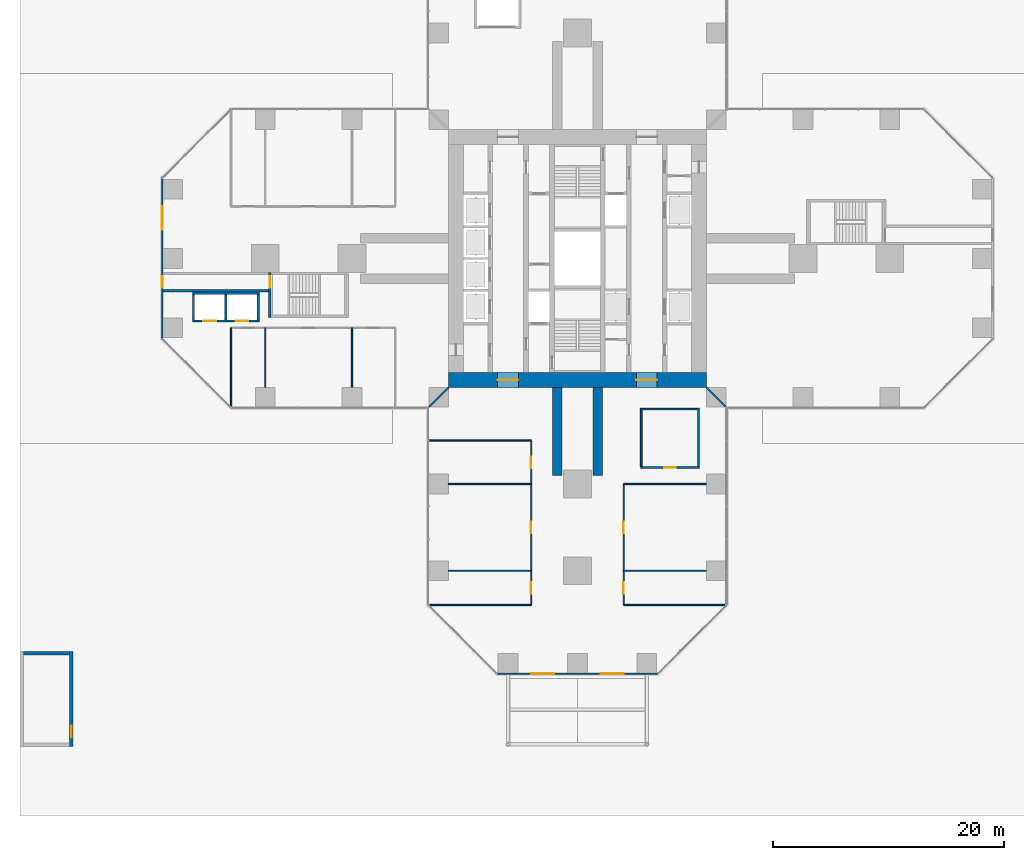
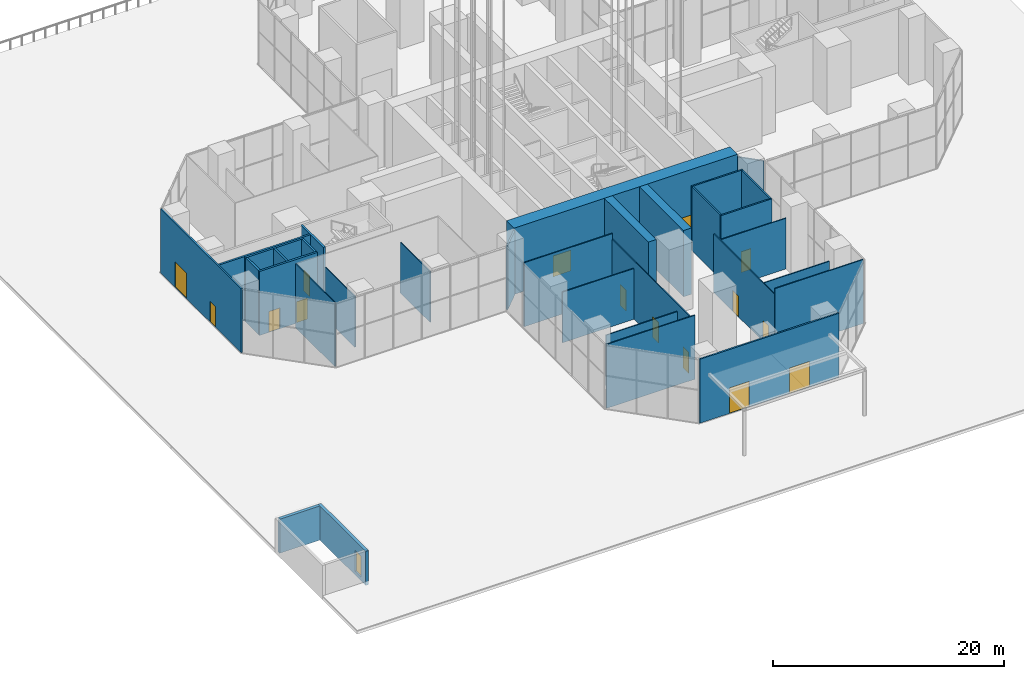
# One storey, part 17 of 43: 32 walls, 16 doors, 16 openings.
"""IFC4 building model written with IfcOpenShell, lengths in metres."""

import ifcopenshell
import ifcopenshell.guid

model = None  # the IFC model being written
_history = None  # IfcOwnerHistory: only IFC2X3 demands one
_inside = {}  # id of a spatial element -> (the spatial element, [elements in it])
_under = {}  # id of a project, library or spatial element -> (it, [spatial elements below it])
_declared = {}  # id of a project -> (the project, [libraries it declares])
_typed = {}  # id of a type object -> (the type object, [elements of that type])
_made_of = {}  # id of a material, layer set ... -> (it, [elements and type objects made of it])


def new_model(schema):
    """Start an empty IFC model of exactly this schema.

    Asked for "IFC4X3", IfcOpenShell would pick the latest addendum, in which some entities
    have other attributes; the version numbers below select the first issue.
    IFC2X3 requires an IfcOwnerHistory on every rooted entity: one is made here for all.
    """
    global model, _history
    if schema == "IFC4X3":
        model = ifcopenshell.file(schema_version=(4, 3, 0, 0))
    else:
        model = ifcopenshell.file(schema=schema)
    _inside.clear()
    _under.clear()
    _declared.clear()
    _typed.clear()
    _made_of.clear()
    _history = None
    if model.schema == "IFC2X3":
        org = make("IfcOrganization", Name="unknown")
        user = make(
            "IfcPersonAndOrganization",
            ThePerson=make("IfcPerson", FamilyName="unknown"),
            TheOrganization=org,
        )
        app = make(
            "IfcApplication",
            ApplicationDeveloper=org,
            Version="unknown",
            ApplicationFullName="unknown",
            ApplicationIdentifier="unknown",
        )
        _history = make(
            "IfcOwnerHistory",
            OwningUser=user,
            OwningApplication=app,
            ChangeAction="ADDED",
            CreationDate=0,
        )
    return model


def make(cls, **values):
    """One entity of the class cls with the attributes given. An attribute that is None is left unset."""
    return model.create_entity(
        cls, **{name: value for name, value in values.items() if value is not None}
    )


def rooted(cls, **values):
    """An entity with a GlobalId (a new one), such as an element, a storey or a relation."""
    return make(cls, GlobalId=ifcopenshell.guid.new(), OwnerHistory=_history, **values)


def si_unit(unit_type, name, prefix=None):
    """IfcSIUnit, for example si_unit("LENGTHUNIT", "METRE", prefix="MILLI")."""
    return make("IfcSIUnit", UnitType=unit_type, Prefix=prefix, Name=name)


def assignment(units):
    """IfcUnitAssignment: the units of a project."""
    return None if units is None else make("IfcUnitAssignment", Units=units)


def point(xyz):
    """IfcCartesianPoint."""
    return None if xyz is None else make("IfcCartesianPoint", Coordinates=xyz)


def direction(xyz):
    """IfcDirection."""
    return None if xyz is None else make("IfcDirection", DirectionRatios=xyz)


def frame(location, z_axis=None, x_axis=None):
    """IfcAxis2Placement3D, a coordinate frame: its origin and axes. An axis left out is left unset."""
    return make(
        "IfcAxis2Placement3D",
        Location=point(location),
        Axis=direction(z_axis),
        RefDirection=direction(x_axis),
    )


def frame_2d(location, x_axis=None):
    """IfcAxis2Placement2D, a coordinate frame in the plane: its origin and x axis."""
    return make(
        "IfcAxis2Placement2D", Location=point(location), RefDirection=direction(x_axis)
    )


def origin():
    """The frame at (0, 0, 0) with its axes left unset."""
    return frame((0.0, 0.0, 0.0))


def place(relative_to, where):
    """IfcLocalPlacement: puts the frame where relative to a parent placement (None: the world)."""
    return make(
        "IfcLocalPlacement", PlacementRelTo=relative_to, RelativePlacement=where
    )


def context(
    kind, dimensions, precision=None, world=None, true_north=None, identifier=None
):
    """IfcGeometricRepresentationContext, for example the 3D "Model" context."""
    return make(
        "IfcGeometricRepresentationContext",
        ContextIdentifier=identifier,
        ContextType=kind,
        CoordinateSpaceDimension=dimensions,
        Precision=precision,
        WorldCoordinateSystem=world,
        TrueNorth=true_north,
    )


def subcontext(parent, identifier, kind, view, scale=None):
    """IfcGeometricRepresentationSubContext, for example "Body" below "Model"."""
    return make(
        "IfcGeometricRepresentationSubContext",
        ContextIdentifier=identifier,
        ContextType=kind,
        ParentContext=parent,
        TargetScale=scale,
        TargetView=view,
    )


def project(units=None, contexts=None):
    """IfcProject with its units and contexts."""
    return rooted(
        "IfcProject",
        Name="project",
        RepresentationContexts=contexts,
        UnitsInContext=assignment(units),
    )


def spatial(cls, under=None, at=None, **own):
    """A site, building, storey or space (cls), placed at a placement, below another one or the project."""
    s = rooted(cls, ObjectPlacement=at, **own)
    if under is not None:
        _under.setdefault(under.id(), (under, []))[1].append(s)
    return s


def profile(cls, at=None, kind="AREA", **sizes):
    """A parametric profile (cls). Its sizes go by their IFC names, for example OverallWidth=200.0."""
    return make(cls, ProfileType=kind, Position=at, **sizes)


def rectangle(**sizes):
    """IfcRectangleProfileDef."""
    return profile("IfcRectangleProfileDef", **sizes)


def extrude(swept, where, along, depth):
    """IfcExtrudedAreaSolid: the profile swept, set in the frame where, extruded along a direction by depth."""
    return make(
        "IfcExtrudedAreaSolid",
        SweptArea=swept,
        Position=where,
        ExtrudedDirection=direction(along),
        Depth=depth,
    )


def shape(context_of_items, identifier, shape_type, items):
    """IfcShapeRepresentation: the items that make up one representation, for example the "Body"."""
    return make(
        "IfcShapeRepresentation",
        ContextOfItems=context_of_items,
        RepresentationIdentifier=identifier,
        RepresentationType=shape_type,
        Items=items,
    )


def material(Name=None, Category=None):
    """IfcMaterial."""
    return make("IfcMaterial", Name=Name, Category=Category)


def layer(
    of_material, thickness, ventilated=None, Name=None, Category=None, Priority=None
):
    """IfcMaterialLayer: one layer of a wall or slab, of a material (None: an air gap)."""
    return make(
        "IfcMaterialLayer",
        Material=of_material,
        LayerThickness=thickness,
        IsVentilated=ventilated,
        Name=Name,
        Category=Category,
        Priority=Priority,
    )


def layer_set(layers, Name=None):
    """IfcMaterialLayerSet."""
    return make("IfcMaterialLayerSet", MaterialLayers=layers, LayerSetName=Name)


def made_of(thing, what):
    """Note that an element or type object is made of a material, layer set ...; save() writes the relation."""
    if what is not None:
        _made_of.setdefault(what.id(), (what, []))[1].append(thing)
    return thing


def type_object(cls, material=None, **own):
    """A type object (cls), such as IfcWallType, which elements share."""
    return made_of(rooted(cls, **own), material)


def element(
    cls,
    number,
    at=None,
    inside=None,
    cuts=None,
    type_object=None,
    material=None,
    context=None,
    identifier="Body",
    shape_type=None,
    held_by="IfcProductDefinitionShape",
    body=None,
    shapes=None,
    **own,
):
    """One element of the class cls, such as IfcWall. Its Tag is "e" and its number.

    at: its placement. inside: the storey or other place that contains it. cuts: it is an
    opening in that element (IfcRelVoidsElement). A single representation is given by context,
    identifier, shape_type and body (its items); several are given by shapes. held_by: the class
    of the entity that holds the representations. save() writes the other relations.
    """
    e = rooted(cls, Tag="e%d" % number, ObjectPlacement=at, **own)
    if body is not None:
        shapes = [shape(context, identifier, shape_type, body)]
    if shapes is not None:
        e.Representation = make(held_by, Representations=shapes)
    if inside is not None:
        _inside.setdefault(inside.id(), (inside, []))[1].append(e)
    if cuts is not None:
        rooted(
            "IfcRelVoidsElement", RelatingBuildingElement=cuts, RelatedOpeningElement=e
        )
    if type_object is not None:
        _typed.setdefault(type_object.id(), (type_object, []))[1].append(e)
    return made_of(e, material)


def fill(opening, filler):
    """IfcRelFillsElement: the door or window that sits in an opening."""
    return rooted(
        "IfcRelFillsElement",
        RelatingOpeningElement=opening,
        RelatedBuildingElement=filler,
    )


def aggregate(whole, parts):
    """IfcRelAggregates: a whole, such as a stair, and the parts it consists of."""
    return rooted("IfcRelAggregates", RelatingObject=whole, RelatedObjects=parts)


def save(model, path):
    """Write the relations noted so far, then the file.

    IfcRelAggregates (storeys below a building ...), IfcRelContainedInSpatialStructure (elements
    in a storey), IfcRelDefinesByType, IfcRelAssociatesMaterial and IfcRelDeclares: one each for
    every whole, place, type object, material and project.
    """
    for whole, parts in _under.values():
        aggregate(whole, parts)
    for where, things in _inside.values():
        rooted(
            "IfcRelContainedInSpatialStructure",
            RelatedElements=things,
            RelatingStructure=where,
        )
    for kind, things in _typed.values():
        rooted("IfcRelDefinesByType", RelatedObjects=things, RelatingType=kind)
    for what, things in _made_of.values():
        rooted("IfcRelAssociatesMaterial", RelatedObjects=things, RelatingMaterial=what)
    for by, libraries in _declared.values():
        rooted("IfcRelDeclares", RelatingContext=by, RelatedDefinitions=libraries)
    model.write(path)


model = new_model("IFC4")

# Units and contexts
model_context = context("Model", 3, precision=1e-05, world=origin(), true_north=direction((0.0, 1.0)))
body_context = subcontext(model_context, "Body", "Model", "MODEL_VIEW")
ifc_project = project(units=[si_unit("LENGTHUNIT", "METRE"), si_unit("AREAUNIT", "SQUARE_METRE"), si_unit("VOLUMEUNIT", "CUBIC_METRE"), si_unit("PLANEANGLEUNIT", "RADIAN"), si_unit("MASSUNIT", "GRAM", prefix="KILO")], contexts=[model_context])

# Site, building, storey
site_placement = place(None, origin())
site = spatial("IfcSite", under=ifc_project, at=site_placement, CompositionType="ELEMENT")
building_placement = place(site_placement, origin())
building = spatial("IfcBuilding", under=site, at=building_placement, Name="Mizan Broadcast Tower", CompositionType="ELEMENT")
storey_placement = place(building_placement, origin())
storey = spatial("IfcBuildingStorey", under=building, at=storey_placement, Name="L00", CompositionType="ELEMENT", Elevation=0.0)

# Wall, openings, doors
ifc_material_1 = material(Name="Concrete C70/85", Category="concrete")
ifc_layer_1 = layer(ifc_material_1, 1.300048828125)
ifc_layer_set_1 = layer_set([ifc_layer_1], Name="Concrete C70/85")
wall_type_1 = type_object("IfcWallType", Name="CORE WALL 1300", PredefinedType="SHEAR", material=ifc_layer_set_1)
wall_1_placement = place(storey_placement, frame((11.14990234375, -10.5, 0.0), z_axis=(0.0, 0.0, 1.0), x_axis=(-1.0, 0.0, 0.0)))
wall_1 = element("IfcWall", 1, at=wall_1_placement, inside=storey, type_object=wall_type_1, Name="Core wall S L00", PredefinedType="SHEAR", context=body_context, shape_type="SweptSolid", body=[
    extrude(rectangle(XDim=22.2998046875, YDim=1.300048828125, at=frame_2d((11.14990234375, 0.0))), origin(), (0.0, 0.0, 1.0), 7.0),
])
opening_1_placement = place(wall_1_placement, frame((16.25, 0.0, 0.0)))
opening_1 = element("IfcOpeningElement", 2, at=opening_1_placement, cuts=wall_1, Name="Opening D18F", PredefinedType="OPENING", context=body_context, shape_type="SweptSolid", body=[
    extrude(rectangle(XDim=1.800048828125, YDim=2.199951171875, at=frame_2d((0.89990234375, 1.10009765625))), frame((0.0, 0.659912109375, 0.0), z_axis=(0.0, -1.0, 0.0), x_axis=(1.0, 0.0, 0.0)), (0.0, 0.0, 1.0), 1.320068359375),
])
opening_2_placement = place(wall_1_placement, frame((4.25, 0.0, 0.0)))
opening_2 = element("IfcOpeningElement", 3, at=opening_2_placement, cuts=wall_1, Name="Opening D18F", PredefinedType="OPENING", context=body_context, shape_type="SweptSolid", body=[
    extrude(rectangle(XDim=1.800048828125, YDim=2.199951171875, at=frame_2d((0.89990234375, 1.10009765625))), frame((0.0, 0.659912109375, 0.0), z_axis=(0.0, -1.0, 0.0), x_axis=(1.0, 0.0, 0.0)), (0.0, 0.0, 1.0), 1.320068359375),
])
ifc_material_2 = material(Name="Steel door leaf in steel frame", Category="steel")
door_type_1 = type_object("IfcDoorType", Name="LOBBY DOUBLE DOOR 1800 FD90", OperationType="DOUBLE_DOOR_DOUBLE_SWING", PredefinedType="DOOR", material=ifc_material_2)
door_1_placement = place(opening_1_placement, origin())
door_1 = element("IfcDoor", 4, at=door_1_placement, inside=storey, type_object=door_type_1, Name="West lift lobby south door", OperationType="DOUBLE_DOOR_DOUBLE_SWING", OverallHeight=2.199951171875, OverallWidth=1.800048828125, PredefinedType="DOOR", context=body_context, shape_type="SweptSolid", body=[
    extrude(rectangle(XDim=1.800048828125, YDim=2.199951171875, at=frame_2d((0.89990234375, 1.10009765625))), frame((0.0, 0.02490234375, 0.0), z_axis=(0.0, -1.0, 0.0), x_axis=(1.0, 0.0, 0.0)), (0.0, 0.0, 1.0), 0.050048828125),
])
fill(opening_1, door_1)
door_2_placement = place(opening_2_placement, origin())
door_2 = element("IfcDoor", 5, at=door_2_placement, inside=storey, type_object=door_type_1, Name="East lift lobby south door", OperationType="DOUBLE_DOOR_DOUBLE_SWING", OverallHeight=2.199951171875, OverallWidth=1.800048828125, PredefinedType="DOOR", context=body_context, shape_type="SweptSolid", body=[
    extrude(rectangle(XDim=1.800048828125, YDim=2.199951171875, at=frame_2d((0.89990234375, 1.10009765625))), frame((0.0, 0.02490234375, 0.0), z_axis=(0.0, -1.0, 0.0), x_axis=(1.0, 0.0, 0.0)), (0.0, 0.0, 1.0), 0.050048828125),
])
fill(opening_2, door_2)

# Wall
ifc_material_3 = material(Name="Concrete blockwork", Category="masonry")
ifc_layer_2 = layer(ifc_material_3, 0.14990234375)
ifc_layer_set_2 = layer_set([ifc_layer_2], Name="Concrete blockwork")
wall_type_2 = type_object("IfcWallType", Name="FIRE COMMAND CENTRE WALL 150", PredefinedType="SOLIDWALL", material=ifc_layer_set_2)
wall_2_placement = place(storey_placement, frame((5.449951171875, -13.02490234375, 0.0), z_axis=(0.0, 0.0, 1.0), x_axis=(1.0, 0.0, 0.0)))
element("IfcWall", 6, at=wall_2_placement, inside=storey, type_object=wall_type_2, Name="Fire command centre wall FCC/W1", PredefinedType="SOLIDWALL", context=body_context, shape_type="SweptSolid", body=[
    extrude(rectangle(XDim=5.10009765625, YDim=0.14990234375, at=frame_2d((2.550048828125, 0.0))), origin(), (0.0, 0.0, 1.0), 6.75),
])

# Wall, opening, door
wall_3_placement = place(storey_placement, frame((10.550048828125, -18.074951171875, 0.0), z_axis=(0.0, 0.0, 1.0), x_axis=(-1.0, 0.0, 0.0)))
wall_3 = element("IfcWall", 7, at=wall_3_placement, inside=storey, type_object=wall_type_2, Name="Fire command centre wall FCC/W2", PredefinedType="SOLIDWALL", context=body_context, shape_type="SweptSolid", body=[
    extrude(rectangle(XDim=5.10009765625, YDim=0.14990234375, at=frame_2d((2.550048828125, 0.0))), origin(), (0.0, 0.0, 1.0), 6.75),
])
opening_3_placement = place(wall_3_placement, frame((2.050048828125, 0.0, 0.0)))
opening_3 = element("IfcOpeningElement", 8, at=opening_3_placement, cuts=wall_3, Name="Opening D10F", PredefinedType="OPENING", context=body_context, shape_type="SweptSolid", body=[
    extrude(rectangle(XDim=1.0, YDim=2.199951171875, at=frame_2d((0.5, 1.10009765625))), frame((0.0, 0.0849609375, 0.0), z_axis=(0.0, -1.0, 0.0), x_axis=(1.0, 0.0, 0.0)), (0.0, 0.0, 1.0), 0.169921875),
])
ifc_material_4 = material(Name="Steel door leaf in steel frame", Category="steel")
door_type_2 = type_object("IfcDoorType", Name="FIRE DOOR 1000 FD90", OperationType="SINGLE_SWING_LEFT", PredefinedType="DOOR", material=ifc_material_4)
door_3_placement = place(opening_3_placement, origin())
door_3 = element("IfcDoor", 9, at=door_3_placement, inside=storey, type_object=door_type_2, Name="Fire command centre door", OperationType="SINGLE_SWING_RIGHT", OverallHeight=2.199951171875, OverallWidth=1.0, PredefinedType="DOOR", context=body_context, shape_type="SweptSolid", body=[
    extrude(rectangle(XDim=1.0, YDim=2.199951171875, at=frame_2d((0.5, 1.10009765625))), frame((0.0, 0.02490234375, 0.0), z_axis=(0.0, -1.0, 0.0), x_axis=(1.0, 0.0, 0.0)), (0.0, 0.0, 1.0), 0.050048828125),
])
fill(opening_3, door_3)

# Walls
for number, where, z_axis, x_axis, name in (
    (10, (5.52490234375, -13.10009765625, 0.0), (0.0, 0.0, 1.0), (0.0, -1.0, 0.0), "Fire command centre wall FCC/W3"),
    (11, (10.47509765625, -18.0, 0.0), (0.0, 0.0, 1.0), (0.0, 1.0, 0.0), "Fire command centre wall FCC/W4"),
):
    element("IfcWall", number, at=place(storey_placement, frame(where, z_axis=z_axis, x_axis=x_axis)), inside=storey, type_object=wall_type_2, Name=name, PredefinedType="SOLIDWALL", context=body_context, shape_type="SweptSolid", body=[
        extrude(rectangle(XDim=4.89990234375, YDim=0.14990234375, at=frame_2d((2.449951171875, 0.0))), origin(), (0.0, 0.0, 1.0), 6.75),
    ])

# Wall, openings, doors
ifc_material_5 = material(Name="Aluminium framed glazed screen", Category="aluminium")
ifc_layer_3 = layer(ifc_material_5, 0.159912109375)
ifc_layer_set_3 = layer_set([ifc_layer_3], Name="Aluminium framed glazed screen")
wall_type_3 = type_object("IfcWallType", Name="GLAZED SCREEN WALL 160", PredefinedType="SOLIDWALL", material=ifc_layer_set_3)
wall_4_placement = place(storey_placement, frame((-35.89990234375, 6.95849609375, 0.0), z_axis=(0.0, 0.0, 1.0), x_axis=(0.0, -1.0, 0.0)))
wall_4 = element("IfcWall", 12, at=wall_4_placement, inside=storey, type_object=wall_type_3, Name="External wall L00 W end", PredefinedType="SOLIDWALL", context=body_context, shape_type="SweptSolid", body=[
    extrude(rectangle(XDim=13.9169921875, YDim=0.159912109375, at=frame_2d((6.95849609375, 0.0))), origin(), (0.0, 0.0, 1.0), 6.75),
])
opening_4_placement = place(wall_4_placement, frame((2.45849609375, 0.0, 0.0)))
opening_4 = element("IfcOpeningElement", 13, at=opening_4_placement, cuts=wall_4, Name="Opening ED20", PredefinedType="OPENING", context=body_context, shape_type="SweptSolid", body=[
    extrude(rectangle(XDim=2.0, YDim=2.699951171875, at=frame_2d((1.0, 1.35009765625))), frame((0.0, 0.08984375, 0.0), z_axis=(0.0, -1.0, 0.0), x_axis=(1.0, 0.0, 0.0)), (0.0, 0.0, 1.0), 0.179931640625),
])
opening_5_placement = place(wall_4_placement, frame((8.508544921875, 0.0, 0.0)))
opening_5 = element("IfcOpeningElement", 14, at=opening_5_placement, cuts=wall_4, Name="Opening XD10", PredefinedType="OPENING", context=body_context, shape_type="SweptSolid", body=[
    extrude(rectangle(XDim=1.0, YDim=2.199951171875, at=frame_2d((0.5, 1.10009765625))), frame((0.0, 0.08984375, 0.0), z_axis=(0.0, -1.0, 0.0), x_axis=(1.0, 0.0, 0.0)), (0.0, 0.0, 1.0), 0.179931640625),
])
ifc_material_6 = material(Name="Aluminium framed glazed door", Category="aluminium")
door_type_3 = type_object("IfcDoorType", Name="ENTRANCE DOUBLE DOOR 2000 GLAZED", OperationType="DOUBLE_DOOR_DOUBLE_SWING", PredefinedType="DOOR", material=ifc_material_6)
door_4_placement = place(opening_4_placement, origin())
door_4 = element("IfcDoor", 15, at=door_4_placement, inside=storey, type_object=door_type_3, Name="Artists' entrance door", OperationType="DOUBLE_DOOR_DOUBLE_SWING", OverallHeight=2.699951171875, OverallWidth=2.0, PredefinedType="DOOR", context=body_context, shape_type="SweptSolid", body=[
    extrude(rectangle(XDim=2.0, YDim=2.699951171875, at=frame_2d((1.0, 1.35009765625))), frame((0.0, 0.02490234375, 0.0), z_axis=(0.0, -1.0, 0.0), x_axis=(1.0, 0.0, 0.0)), (0.0, 0.0, 1.0), 0.050048828125),
])
fill(opening_4, door_4)
ifc_material_7 = material(Name="Steel door", Category="steel")
door_type_4 = type_object("IfcDoorType", Name="EXIT DOOR 1000", OperationType="SINGLE_SWING_LEFT", PredefinedType="DOOR", material=ifc_material_7)
door_5_placement = place(opening_5_placement, frame((1.0, 0.0, 0.0), z_axis=(0.0, 0.0, 1.0), x_axis=(-1.0, 0.0, 0.0)))
door_5 = element("IfcDoor", 16, at=door_5_placement, inside=storey, type_object=door_type_4, Name="Stair D exit door", OperationType="SINGLE_SWING_LEFT", OverallHeight=2.199951171875, OverallWidth=1.0, PredefinedType="DOOR", context=body_context, shape_type="SweptSolid", body=[
    extrude(rectangle(XDim=1.0, YDim=2.199951171875, at=frame_2d((0.5, 1.10009765625))), frame((0.0, 0.02490234375, 0.0), z_axis=(0.0, -1.0, 0.0), x_axis=(1.0, 0.0, 0.0)), (0.0, 0.0, 1.0), 0.050048828125),
])
fill(opening_5, door_5)

wall_5_placement = place(storey_placement, frame((-6.95849609375, -35.89990234375, 0.0), z_axis=(0.0, 0.0, 1.0), x_axis=(1.0, 0.0, 0.0)))
wall_5 = element("IfcWall", 17, at=wall_5_placement, inside=storey, type_object=wall_type_3, Name="External wall L00 S end", PredefinedType="SOLIDWALL", context=body_context, shape_type="SweptSolid", body=[
    extrude(rectangle(XDim=13.9169921875, YDim=0.159912109375, at=frame_2d((6.95849609375, 0.0))), origin(), (0.0, 0.0, 1.0), 6.75),
])
opening_6_placement = place(wall_5_placement, frame((2.95849609375, 0.0, 0.0)))
opening_6 = element("IfcOpeningElement", 18, at=opening_6_placement, cuts=wall_5, Name="Opening ED20", PredefinedType="OPENING", context=body_context, shape_type="SweptSolid", body=[
    extrude(rectangle(XDim=2.0, YDim=2.699951171875, at=frame_2d((1.0, 1.35009765625))), frame((0.0, 0.08984375, 0.0), z_axis=(0.0, -1.0, 0.0), x_axis=(1.0, 0.0, 0.0)), (0.0, 0.0, 1.0), 0.179931640625),
])
opening_7_placement = place(wall_5_placement, frame((8.95849609375, 0.0, 0.0)))
opening_7 = element("IfcOpeningElement", 19, at=opening_7_placement, cuts=wall_5, Name="Opening ED20", PredefinedType="OPENING", context=body_context, shape_type="SweptSolid", body=[
    extrude(rectangle(XDim=2.0, YDim=2.699951171875, at=frame_2d((1.0, 1.35009765625))), frame((0.0, 0.08984375, 0.0), z_axis=(0.0, -1.0, 0.0), x_axis=(1.0, 0.0, 0.0)), (0.0, 0.0, 1.0), 0.179931640625),
])
door_6_placement = place(opening_6_placement, origin())
door_6 = element("IfcDoor", 20, at=door_6_placement, inside=storey, type_object=door_type_3, Name="Main entrance door 1", OperationType="DOUBLE_DOOR_DOUBLE_SWING", OverallHeight=2.699951171875, OverallWidth=2.0, PredefinedType="DOOR", context=body_context, shape_type="SweptSolid", body=[
    extrude(rectangle(XDim=2.0, YDim=2.699951171875, at=frame_2d((1.0, 1.35009765625))), frame((0.0, 0.02490234375, 0.0), z_axis=(0.0, -1.0, 0.0), x_axis=(1.0, 0.0, 0.0)), (0.0, 0.0, 1.0), 0.050048828125),
])
fill(opening_6, door_6)
door_7_placement = place(opening_7_placement, origin())
door_7 = element("IfcDoor", 21, at=door_7_placement, inside=storey, type_object=door_type_3, Name="Main entrance door 2", OperationType="DOUBLE_DOOR_DOUBLE_SWING", OverallHeight=2.699951171875, OverallWidth=2.0, PredefinedType="DOOR", context=body_context, shape_type="SweptSolid", body=[
    extrude(rectangle(XDim=2.0, YDim=2.699951171875, at=frame_2d((1.0, 1.35009765625))), frame((0.0, 0.02490234375, 0.0), z_axis=(0.0, -1.0, 0.0), x_axis=(1.0, 0.0, 0.0)), (0.0, 0.0, 1.0), 0.050048828125),
])
fill(opening_7, door_7)

# Wall
ifc_material_8 = material(Name="Concrete blockwork", Category="masonry")
ifc_layer_4 = layer(ifc_material_8, 0.199951171875)
ifc_layer_set_4 = layer_set([ifc_layer_4], Name="Concrete blockwork")
wall_type_4 = type_object("IfcWallType", Name="LIFT SHAFT WALL 200", PredefinedType="SOLIDWALL", material=ifc_layer_set_4)
wall_6_placement = place(storey_placement, frame((-27.5, -3.0, 0.0), z_axis=(0.0, 0.0, 1.0), x_axis=(-1.0, 0.0, 0.0)))
element("IfcWall", 22, at=wall_6_placement, inside=storey, type_object=wall_type_4, Name="Lift shaft wall PLS/V0", PredefinedType="SOLIDWALL", context=body_context, shape_type="SweptSolid", body=[
    extrude(rectangle(XDim=5.800048828125, YDim=0.199951171875, at=frame_2d((2.89990234375, 0.0))), origin(), (0.0, 0.0, 1.0), 6.75),
])

# Wall, openings, doors
wall_7_placement = place(storey_placement, frame((-33.300048828125, -5.39990234375, 0.0), z_axis=(0.0, 0.0, 1.0), x_axis=(1.0, 0.0, 0.0)))
wall_7 = element("IfcWall", 23, at=wall_7_placement, inside=storey, type_object=wall_type_4, Name="Lift shaft wall PLS/V1", PredefinedType="SOLIDWALL", context=body_context, shape_type="SweptSolid", body=[
    extrude(rectangle(XDim=5.800048828125, YDim=0.199951171875, at=frame_2d((2.89990234375, 0.0))), origin(), (0.0, 0.0, 1.0), 6.75),
])
opening_8_placement = place(wall_7_placement, frame((3.75, 0.0, 0.0)))
opening_8 = element("IfcOpeningElement", 24, at=opening_8_placement, cuts=wall_7, Name="Opening LDP", PredefinedType="OPENING", context=body_context, shape_type="SweptSolid", body=[
    extrude(rectangle(XDim=1.10009765625, YDim=2.199951171875, at=frame_2d((0.550048828125, 1.10009765625))), frame((0.0, 0.10986328125, 0.0), z_axis=(0.0, -1.0, 0.0), x_axis=(1.0, 0.0, 0.0)), (0.0, 0.0, 1.0), 0.219970703125),
])
opening_9_placement = place(wall_7_placement, frame((0.949951171875, 0.0, 0.0)))
opening_9 = element("IfcOpeningElement", 25, at=opening_9_placement, cuts=wall_7, Name="Opening LDP", PredefinedType="OPENING", context=body_context, shape_type="SweptSolid", body=[
    extrude(rectangle(XDim=1.10009765625, YDim=2.199951171875, at=frame_2d((0.550048828125, 1.10009765625))), frame((0.0, 0.10986328125, 0.0), z_axis=(0.0, -1.0, 0.0), x_axis=(1.0, 0.0, 0.0)), (0.0, 0.0, 1.0), 0.219970703125),
])
ifc_material_9 = material(Name="Steel door leaf in steel frame", Category="steel")
door_type_5 = type_object("IfcDoorType", Name="PODIUM LIFT LANDING DOOR 1100", OperationType="SLIDING_TO_LEFT", PredefinedType="DOOR", material=ifc_material_9)
door_8_placement = place(opening_8_placement, origin())
door_8 = element("IfcDoor", 26, at=door_8_placement, inside=storey, type_object=door_type_5, Name="Landing door PL1", OperationType="SLIDING_TO_LEFT", OverallHeight=2.199951171875, OverallWidth=1.10009765625, PredefinedType="DOOR", context=body_context, shape_type="SweptSolid", body=[
    extrude(rectangle(XDim=1.10009765625, YDim=2.199951171875, at=frame_2d((0.550048828125, 1.10009765625))), frame((0.0, 0.02490234375, 0.0), z_axis=(0.0, -1.0, 0.0), x_axis=(1.0, 0.0, 0.0)), (0.0, 0.0, 1.0), 0.050048828125),
])
fill(opening_8, door_8)
door_9_placement = place(opening_9_placement, origin())
door_9 = element("IfcDoor", 27, at=door_9_placement, inside=storey, type_object=door_type_5, Name="Landing door PL2", OperationType="SLIDING_TO_LEFT", OverallHeight=2.199951171875, OverallWidth=1.10009765625, PredefinedType="DOOR", context=body_context, shape_type="SweptSolid", body=[
    extrude(rectangle(XDim=1.10009765625, YDim=2.199951171875, at=frame_2d((0.550048828125, 1.10009765625))), frame((0.0, 0.02490234375, 0.0), z_axis=(0.0, -1.0, 0.0), x_axis=(1.0, 0.0, 0.0)), (0.0, 0.0, 1.0), 0.050048828125),
])
fill(opening_9, door_9)

# Walls
for number, where, z_axis, x_axis, name in (
    (28, (-27.60009765625, -3.10009765625, 0.0), (0.0, 0.0, 1.0), (0.0, -1.0, 0.0), "Lift shaft wall PLS/U0"),
    (29, (-30.39990234375, -3.10009765625, 0.0), (0.0, 0.0, 1.0), (0.0, -1.0, 0.0), "Lift shaft wall PLS/U1"),
    (30, (-33.199951171875, -3.10009765625, 0.0), (0.0, 0.0, 1.0), (0.0, -1.0, 0.0), "Lift shaft wall PLS/U2"),
):
    element("IfcWall", number, at=place(storey_placement, frame(where, z_axis=z_axis, x_axis=x_axis)), inside=storey, type_object=wall_type_4, Name=name, PredefinedType="SOLIDWALL", context=body_context, shape_type="SweptSolid", body=[
        extrude(rectangle(XDim=2.199951171875, YDim=0.199951171875, at=frame_2d((1.10009765625, 0.0))), origin(), (0.0, 0.0, 1.0), 6.75),
    ])
ifc_material_10 = material(Name="Gypsum board on steel studs", Category="steel")
ifc_layer_5 = layer(ifc_material_10, 0.14990234375)
ifc_layer_set_5 = layer_set([ifc_layer_5], Name="Gypsum board on steel studs")
wall_type_5 = type_object("IfcWallType", Name="PARTITION 150", PredefinedType="PARTITIONING", material=ifc_layer_set_5)
for number, where, z_axis, x_axis, name in (
    (31, (-11.14990234375, -11.14990234375, 0.0), (0.0, 0.0, 1.0), (-0.707106781187, -0.707106781187, 0.0), "Partition PT/DGWS"),
    (32, (11.14990234375, -11.14990234375, 0.0), (0.0, 0.0, 1.0), (0.707106781187, -0.707106781187, 0.0), "Partition PT/DGES"),
):
    element("IfcWall", number, at=place(storey_placement, frame(where, z_axis=z_axis, x_axis=x_axis)), inside=storey, type_object=wall_type_5, Name=name, PredefinedType="PARTITIONING", context=body_context, shape_type="SweptSolid", body=[
        extrude(rectangle(XDim=2.362060546875, YDim=0.14990234375, at=frame_2d((1.18115234375, 0.0))), origin(), (0.0, 0.0, 1.0), 6.75),
    ])

# Wall, openings, doors
ifc_material_11 = material(Name="Glazed aluminium partition on aluminium track", Category="aluminium")
ifc_layer_6 = layer(ifc_material_11, 0.10009765625)
ifc_layer_set_6 = layer_set([ifc_layer_6], Name="Glazed aluminium partition on aluminium track")
wall_type_6 = type_object("IfcWallType", Name="PARTITION GLAZED OFFICE FRONT 100", PredefinedType="PARTITIONING", material=ifc_layer_set_6)
wall_8_placement = place(storey_placement, frame((4.0, -19.5, 0.0), z_axis=(0.0, 0.0, 1.0), x_axis=(0.0, -1.0, 0.0)))
wall_8 = element("IfcWall", 33, at=wall_8_placement, inside=storey, type_object=wall_type_6, Name="Glazed office front PT/SGP", PredefinedType="PARTITIONING", context=body_context, shape_type="SweptSolid", body=[
    extrude(rectangle(XDim=10.458984375, YDim=0.10009765625, at=frame_2d((5.2294921875, 0.0))), origin(), (0.0, 0.0, 1.0), 6.159912109375),
])
opening_10_placement = place(wall_8_placement, frame((3.25, 0.0, 0.0)))
opening_10 = element("IfcOpeningElement", 34, at=opening_10_placement, cuts=wall_8, Name="Opening D10O", PredefinedType="OPENING", context=body_context, shape_type="SweptSolid", body=[
    extrude(rectangle(XDim=1.0, YDim=2.199951171875, at=frame_2d((0.5, 1.10009765625))), frame((0.0, 0.06005859375, 0.0), z_axis=(0.0, -1.0, 0.0), x_axis=(1.0, 0.0, 0.0)), (0.0, 0.0, 1.0), 0.1201171875),
])
opening_11_placement = place(wall_8_placement, frame((8.4794921875, 0.0, 0.0)))
opening_11 = element("IfcOpeningElement", 35, at=opening_11_placement, cuts=wall_8, Name="Opening D10O", PredefinedType="OPENING", context=body_context, shape_type="SweptSolid", body=[
    extrude(rectangle(XDim=1.0, YDim=2.199951171875, at=frame_2d((0.5, 1.10009765625))), frame((0.0, 0.06005859375, 0.0), z_axis=(0.0, -1.0, 0.0), x_axis=(1.0, 0.0, 0.0)), (0.0, 0.0, 1.0), 0.1201171875),
])
ifc_material_12 = material(Name="Timber door leaf in aluminium frame", Category="wood")
door_type_6 = type_object("IfcDoorType", Name="OFFICE DOOR 1000 GLAZED", OperationType="SINGLE_SWING_LEFT", PredefinedType="DOOR", material=ifc_material_12)
door_10_placement = place(opening_10_placement, origin())
door_10 = element("IfcDoor", 36, at=door_10_placement, inside=storey, type_object=door_type_6, Name="Security control room door", OperationType="SINGLE_SWING_LEFT", OverallHeight=2.199951171875, OverallWidth=1.0, PredefinedType="DOOR", context=body_context, shape_type="SweptSolid", body=[
    extrude(rectangle(XDim=1.0, YDim=2.199951171875, at=frame_2d((0.5, 1.10009765625))), frame((0.0, 0.02490234375, 0.0), z_axis=(0.0, -1.0, 0.0), x_axis=(1.0, 0.0, 0.0)), (0.0, 0.0, 1.0), 0.050048828125),
])
fill(opening_10, door_10)
door_11_placement = place(opening_11_placement, origin())
door_11 = element("IfcDoor", 37, at=door_11_placement, inside=storey, type_object=door_type_6, Name="Mail room door", OperationType="SINGLE_SWING_RIGHT", OverallHeight=2.199951171875, OverallWidth=1.0, PredefinedType="DOOR", context=body_context, shape_type="SweptSolid", body=[
    extrude(rectangle(XDim=1.0, YDim=2.199951171875, at=frame_2d((0.5, 1.10009765625))), frame((0.0, 0.02490234375, 0.0), z_axis=(0.0, -1.0, 0.0), x_axis=(1.0, 0.0, 0.0)), (0.0, 0.0, 1.0), 0.050048828125),
])
fill(opening_11, door_11)

# Walls
for number, where, z_axis, x_axis, name in (
    (38, (4.0, -19.5, 0.0), (0.0, 0.0, 1.0), (1.0, 0.0, 0.0), "Glazed office front PT/SGP1950"),
    (39, (4.0, -27.0, 0.0), (0.0, 0.0, 1.0), (1.0, 0.0, 0.0), "Glazed office front PT/SGP2700"),
):
    element("IfcWall", number, at=place(storey_placement, frame(where, z_axis=z_axis, x_axis=x_axis)), inside=storey, type_object=wall_type_6, Name=name, PredefinedType="PARTITIONING", context=body_context, shape_type="SweptSolid", body=[
        extrude(rectangle(XDim=7.14990234375, YDim=0.10009765625, at=frame_2d((3.574951171875, 0.0))), origin(), (0.0, 0.0, 1.0), 5.35009765625),
    ])
wall_9_placement = place(storey_placement, frame((4.0, -29.958984375, 0.0), z_axis=(0.0, 0.0, 1.0), x_axis=(1.0, 0.0, 0.0)))
element("IfcWall", 40, at=wall_9_placement, inside=storey, type_object=wall_type_6, Name="Glazed office front PT/SGP2996", PredefinedType="PARTITIONING", context=body_context, shape_type="SweptSolid", body=[
    extrude(rectangle(XDim=8.820068359375, YDim=0.10009765625, at=frame_2d((4.41015625, 0.0))), origin(), (0.0, 0.0, 1.0), 6.75),
])

# Wall, openings, doors
wall_10_placement = place(storey_placement, frame((-4.0, -15.742919921875, 0.0), z_axis=(0.0, 0.0, 1.0), x_axis=(0.0, -1.0, 0.0)))
wall_10 = element("IfcWall", 41, at=wall_10_placement, inside=storey, type_object=wall_type_6, Name="Glazed office front PT/SGN", PredefinedType="PARTITIONING", context=body_context, shape_type="SweptSolid", body=[
    extrude(rectangle(XDim=14.216064453125, YDim=0.10009765625, at=frame_2d((7.10791015625, 0.0))), origin(), (0.0, 0.0, 1.0), 6.159912109375),
])
opening_12_placement = place(wall_10_placement, frame((1.37841796875, 0.0, 0.0)))
opening_12 = element("IfcOpeningElement", 42, at=opening_12_placement, cuts=wall_10, Name="Opening D10O", PredefinedType="OPENING", context=body_context, shape_type="SweptSolid", body=[
    extrude(rectangle(XDim=1.0, YDim=2.199951171875, at=frame_2d((0.5, 1.10009765625))), frame((0.0, 0.06005859375, 0.0), z_axis=(0.0, -1.0, 0.0), x_axis=(1.0, 0.0, 0.0)), (0.0, 0.0, 1.0), 0.1201171875),
])
opening_13_placement = place(wall_10_placement, frame((7.007080078125, 0.0, 0.0)))
opening_13 = element("IfcOpeningElement", 43, at=opening_13_placement, cuts=wall_10, Name="Opening D10O", PredefinedType="OPENING", context=body_context, shape_type="SweptSolid", body=[
    extrude(rectangle(XDim=1.0, YDim=2.199951171875, at=frame_2d((0.5, 1.10009765625))), frame((0.0, 0.06005859375, 0.0), z_axis=(0.0, -1.0, 0.0), x_axis=(1.0, 0.0, 0.0)), (0.0, 0.0, 1.0), 0.1201171875),
])
opening_14_placement = place(wall_10_placement, frame((12.236572265625, 0.0, 0.0)))
opening_14 = element("IfcOpeningElement", 44, at=opening_14_placement, cuts=wall_10, Name="Opening D10O", PredefinedType="OPENING", context=body_context, shape_type="SweptSolid", body=[
    extrude(rectangle(XDim=1.0, YDim=2.199951171875, at=frame_2d((0.5, 1.10009765625))), frame((0.0, 0.06005859375, 0.0), z_axis=(0.0, -1.0, 0.0), x_axis=(1.0, 0.0, 0.0)), (0.0, 0.0, 1.0), 0.1201171875),
])
door_12_placement = place(opening_12_placement, origin())
door_12 = element("IfcDoor", 45, at=door_12_placement, inside=storey, type_object=door_type_6, Name="Concierge office door", OperationType="SINGLE_SWING_LEFT", OverallHeight=2.199951171875, OverallWidth=1.0, PredefinedType="DOOR", context=body_context, shape_type="SweptSolid", body=[
    extrude(rectangle(XDim=1.0, YDim=2.199951171875, at=frame_2d((0.5, 1.10009765625))), frame((0.0, 0.02490234375, 0.0), z_axis=(0.0, -1.0, 0.0), x_axis=(1.0, 0.0, 0.0)), (0.0, 0.0, 1.0), 0.050048828125),
])
fill(opening_12, door_12)
door_13_placement = place(opening_13_placement, origin())
door_13 = element("IfcDoor", 46, at=door_13_placement, inside=storey, type_object=door_type_6, Name="Visitor centre door", OperationType="SINGLE_SWING_RIGHT", OverallHeight=2.199951171875, OverallWidth=1.0, PredefinedType="DOOR", context=body_context, shape_type="SweptSolid", body=[
    extrude(rectangle(XDim=1.0, YDim=2.199951171875, at=frame_2d((0.5, 1.10009765625))), frame((0.0, 0.02490234375, 0.0), z_axis=(0.0, -1.0, 0.0), x_axis=(1.0, 0.0, 0.0)), (0.0, 0.0, 1.0), 0.050048828125),
])
fill(opening_13, door_13)
door_14_placement = place(opening_14_placement, origin())
door_14 = element("IfcDoor", 47, at=door_14_placement, inside=storey, type_object=door_type_6, Name="Broadcast shop door", OperationType="SINGLE_SWING_RIGHT", OverallHeight=2.199951171875, OverallWidth=1.0, PredefinedType="DOOR", context=body_context, shape_type="SweptSolid", body=[
    extrude(rectangle(XDim=1.0, YDim=2.199951171875, at=frame_2d((0.5, 1.10009765625))), frame((0.0, 0.02490234375, 0.0), z_axis=(0.0, -1.0, 0.0), x_axis=(1.0, 0.0, 0.0)), (0.0, 0.0, 1.0), 0.050048828125),
])
fill(opening_14, door_14)

# Walls
wall_11_placement = place(storey_placement, frame((-4.0, -15.742919921875, 0.0), z_axis=(0.0, 0.0, 1.0), x_axis=(-1.0, 0.0, 0.0)))
element("IfcWall", 48, at=wall_11_placement, inside=storey, type_object=wall_type_6, Name="Glazed office front PT/SGN1574", PredefinedType="PARTITIONING", context=body_context, shape_type="SweptSolid", body=[
    extrude(rectangle(XDim=8.820068359375, YDim=0.10009765625, at=frame_2d((4.41015625, 0.0))), origin(), (0.0, 0.0, 1.0), 6.75),
])
for number, where, z_axis, x_axis, name in (
    (49, (-4.0, -19.5, 0.0), (0.0, 0.0, 1.0), (-1.0, 0.0, 0.0), "Glazed office front PT/SGN1950"),
    (50, (-4.0, -27.0, 0.0), (0.0, 0.0, 1.0), (-1.0, 0.0, 0.0), "Glazed office front PT/SGN2700"),
):
    element("IfcWall", number, at=place(storey_placement, frame(where, z_axis=z_axis, x_axis=x_axis)), inside=storey, type_object=wall_type_6, Name=name, PredefinedType="PARTITIONING", context=body_context, shape_type="SweptSolid", body=[
        extrude(rectangle(XDim=7.14990234375, YDim=0.10009765625, at=frame_2d((3.574951171875, 0.0))), origin(), (0.0, 0.0, 1.0), 5.35009765625),
    ])
wall_12_placement = place(storey_placement, frame((-4.0, -29.958984375, 0.0), z_axis=(0.0, 0.0, 1.0), x_axis=(-1.0, 0.0, 0.0)))
element("IfcWall", 51, at=wall_12_placement, inside=storey, type_object=wall_type_6, Name="Glazed office front PT/SGN2996", PredefinedType="PARTITIONING", context=body_context, shape_type="SweptSolid", body=[
    extrude(rectangle(XDim=8.820068359375, YDim=0.10009765625, at=frame_2d((4.41015625, 0.0))), origin(), (0.0, 0.0, 1.0), 6.75),
])
for number, where, z_axis, x_axis, name in (
    (52, (-19.5, -6.0, 0.0), (0.0, 0.0, 1.0), (0.0, -1.0, 0.0), "Glazed office front PT/WGP1950"),
    (53, (-27.0, -6.0, 0.0), (0.0, 0.0, 1.0), (0.0, -1.0, 0.0), "Glazed office front PT/WGP2700"),
):
    element("IfcWall", number, at=place(storey_placement, frame(where, z_axis=z_axis, x_axis=x_axis)), inside=storey, type_object=wall_type_6, Name=name, PredefinedType="PARTITIONING", context=body_context, shape_type="SweptSolid", body=[
        extrude(rectangle(XDim=5.14990234375, YDim=0.10009765625, at=frame_2d((2.574951171875, 0.0))), origin(), (0.0, 0.0, 1.0), 5.35009765625),
    ])
wall_13_placement = place(storey_placement, frame((-29.958984375, -6.0, 0.0), z_axis=(0.0, 0.0, 1.0), x_axis=(0.0, -1.0, 0.0)))
element("IfcWall", 54, at=wall_13_placement, inside=storey, type_object=wall_type_6, Name="Glazed office front PT/WGP2996", PredefinedType="PARTITIONING", context=body_context, shape_type="SweptSolid", body=[
    extrude(rectangle(XDim=6.820068359375, YDim=0.10009765625, at=frame_2d((3.41015625, 0.0))), origin(), (0.0, 0.0, 1.0), 6.75),
])
ifc_material_13 = material(Name="Concrete C70/85", Category="concrete")
ifc_layer_7 = layer(ifc_material_13, 0.800048828125)
ifc_layer_set_7 = layer_set([ifc_layer_7], Name="Concrete C70/85")
wall_type_7 = type_object("IfcWallType", Name="SPINE WALL 800", PredefinedType="SHEAR", material=ifc_layer_set_7)
for number, where, z_axis, x_axis, name in (
    (55, (-1.75, -11.14990234375, 0.0), (0.0, 0.0, 1.0), (0.0, -1.0, 0.0), "Spine wall SR L00"),
    (56, (1.75, -11.14990234375, 0.0), (0.0, 0.0, 1.0), (0.0, -1.0, 0.0), "Spine wall SL L00"),
):
    element("IfcWall", number, at=place(storey_placement, frame(where, z_axis=z_axis, x_axis=x_axis)), inside=storey, type_object=wall_type_7, Name=name, PredefinedType="SHEAR", context=body_context, shape_type="SweptSolid", body=[
        extrude(rectangle(XDim=7.625, YDim=0.800048828125, at=frame_2d((3.8125, 0.0))), origin(), (0.0, 0.0, 1.0), 7.0),
    ])
ifc_material_14 = material(Name="Concrete blockwork", Category="masonry")
ifc_layer_8 = layer(ifc_material_14, 0.199951171875)
ifc_layer_set_8 = layer_set([ifc_layer_8], Name="Concrete blockwork")
wall_type_8 = type_object("IfcWallType", Name="STAIR ENCLOSURE WALL 200", PredefinedType="SOLIDWALL", material=ifc_layer_set_8)
wall_14_placement = place(storey_placement, frame((-26.699951171875, -2.800048828125, 0.0), z_axis=(0.0, 0.0, 1.0), x_axis=(-1.0, 0.0, 0.0)))
element("IfcWall", 57, at=wall_14_placement, inside=storey, type_object=wall_type_8, Name="Stair enclosure wall XP/W/W2", PredefinedType="SOLIDWALL", context=body_context, shape_type="SweptSolid", body=[
    extrude(rectangle(XDim=9.1201171875, YDim=0.199951171875, at=frame_2d((4.56005859375, 0.0))), origin(), (0.0, 0.0, 1.0), 6.75),
])

# Wall, opening, door
ifc_material_15 = material(Name="Concrete C40/50", Category="concrete")
ifc_layer_9 = layer(ifc_material_15, 0.199951171875)
ifc_layer_set_9 = layer_set([ifc_layer_9], Name="Concrete C40/50")
wall_type_9 = type_object("IfcWallType", Name="STAIR SHAFT WALL 200 RC", PredefinedType="SOLIDWALL", material=ifc_layer_set_9)
wall_15_placement = place(storey_placement, frame((-26.60009765625, -5.10009765625, 0.0), z_axis=(0.0, 0.0, 1.0), x_axis=(0.0, 1.0, 0.0)))
wall_15 = element("IfcWall", 58, at=wall_15_placement, inside=storey, type_object=wall_type_9, Name="Stair shaft wall PS/W/U1", PredefinedType="SOLIDWALL", context=body_context, shape_type="SweptSolid", body=[
    extrude(rectangle(XDim=3.900146484375, YDim=0.199951171875, at=frame_2d((1.9501953125, 0.0))), origin(), (0.0, 0.0, 1.0), 6.75),
])
opening_15_placement = place(wall_15_placement, frame((2.550048828125, 0.0, 0.0)))
opening_15 = element("IfcOpeningElement", 59, at=opening_15_placement, cuts=wall_15, Name="Opening D10S", PredefinedType="OPENING", context=body_context, shape_type="SweptSolid", body=[
    extrude(rectangle(XDim=1.0, YDim=2.199951171875, at=frame_2d((0.5, 1.10009765625))), frame((0.0, 0.10986328125, 0.0), z_axis=(0.0, -1.0, 0.0), x_axis=(1.0, 0.0, 0.0)), (0.0, 0.0, 1.0), 0.219970703125),
])
ifc_material_16 = material(Name="Steel door leaf in steel frame", Category="steel")
door_type_7 = type_object("IfcDoorType", Name="STAIR DOOR 1000 FD90S", OperationType="SINGLE_SWING_RIGHT", PredefinedType="DOOR", material=ifc_material_16)
door_15_placement = place(opening_15_placement, origin())
door_15 = element("IfcDoor", 60, at=door_15_placement, inside=storey, type_object=door_type_7, Name="Stair D door", OperationType="SINGLE_SWING_RIGHT", OverallHeight=2.199951171875, OverallWidth=1.0, PredefinedType="DOOR", context=body_context, shape_type="SweptSolid", body=[
    extrude(rectangle(XDim=1.0, YDim=2.199951171875, at=frame_2d((0.5, 1.10009765625))), frame((0.0, 0.02490234375, 0.0), z_axis=(0.0, -1.0, 0.0), x_axis=(1.0, 0.0, 0.0)), (0.0, 0.0, 1.0), 0.050048828125),
])
fill(opening_15, door_15)

ifc_material_17 = material(Name="Concrete C40/50", Category="concrete")
ifc_layer_10 = layer(ifc_material_17, 0.300048828125)
ifc_layer_set_10 = layer_set([ifc_layer_10], Name="Concrete C40/50")
wall_type_10 = type_object("IfcWallType", Name="STAIR SHAFT WALL 300 RC", PredefinedType="SOLIDWALL", material=ifc_layer_set_10)
wall_16_placement = place(storey_placement, frame((-43.75, -42.199951171875, -0.39990234375), z_axis=(0.0, 0.0, 1.0), x_axis=(0.0, 1.0, 0.0)))
wall_16 = element("IfcWall", 61, at=wall_16_placement, inside=storey, type_object=wall_type_10, Name="Stair shaft wall G I", PredefinedType="SOLIDWALL", context=body_context, shape_type="SweptSolid", body=[
    extrude(rectangle(XDim=8.199951171875, YDim=0.300048828125, at=frame_2d((4.10009765625, 0.0))), origin(), (0.0, 0.0, 1.0), 3.599853515625),
])
opening_16_placement = place(wall_16_placement, frame((0.800048828125, 0.0, 0.39990234375)))
opening_16 = element("IfcOpeningElement", 62, at=opening_16_placement, cuts=wall_16, Name="Opening XD10S", PredefinedType="OPENING", context=body_context, shape_type="SweptSolid", body=[
    extrude(rectangle(XDim=1.0, YDim=2.199951171875, at=frame_2d((0.5, 1.10009765625))), frame((0.0, 0.159912109375, 0.0), z_axis=(0.0, -1.0, 0.0), x_axis=(1.0, 0.0, 0.0)), (0.0, 0.0, 1.0), 0.320068359375),
])
ifc_material_18 = material(Name="Steel door leaf in steel frame", Category="steel")
door_type_8 = type_object("IfcDoorType", Name="STAIR EXIT DOOR 1000 FD90", OperationType="SINGLE_SWING_LEFT", PredefinedType="DOOR", material=ifc_material_18)
door_16_placement = place(opening_16_placement, frame((1.0, 0.0, 0.0), z_axis=(0.0, 0.0, 1.0), x_axis=(-1.0, 0.0, 0.0)))
door_16 = element("IfcDoor", 63, at=door_16_placement, inside=storey, type_object=door_type_8, Name="Stair G exit door", OperationType="SINGLE_SWING_RIGHT", OverallHeight=2.199951171875, OverallWidth=1.0, PredefinedType="DOOR", context=body_context, shape_type="SweptSolid", body=[
    extrude(rectangle(XDim=1.0, YDim=2.199951171875, at=frame_2d((0.5, 1.10009765625))), frame((0.0, 0.02490234375, 0.0), z_axis=(0.0, -1.0, 0.0), x_axis=(1.0, 0.0, 0.0)), (0.0, 0.0, 1.0), 0.050048828125),
])
fill(opening_16, door_16)

# Wall
wall_17_placement = place(storey_placement, frame((-47.89990234375, -34.14990234375, -0.39990234375), z_axis=(0.0, 0.0, 1.0), x_axis=(1.0, 0.0, 0.0)))
element("IfcWall", 64, at=wall_17_placement, inside=storey, type_object=wall_type_10, Name="Stair shaft wall G F", PredefinedType="SOLIDWALL", context=body_context, shape_type="SweptSolid", body=[
    extrude(rectangle(XDim=4.0, YDim=0.300048828125, at=frame_2d((2.0, 0.0))), origin(), (0.0, 0.0, 1.0), 3.599853515625),
])

save(model, "model.ifc")
